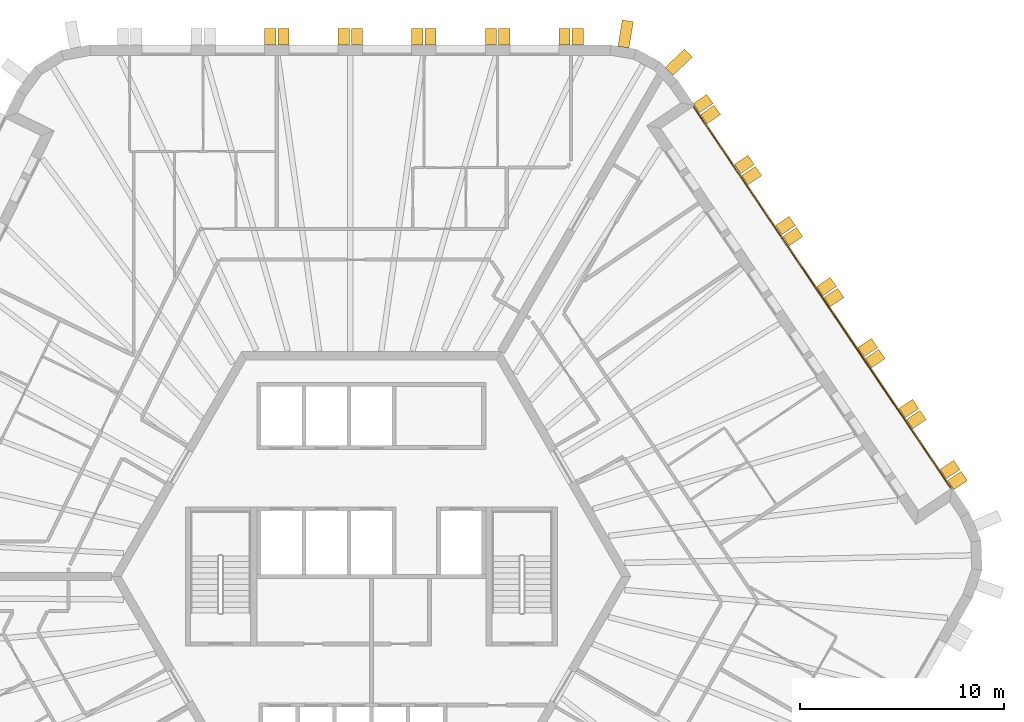
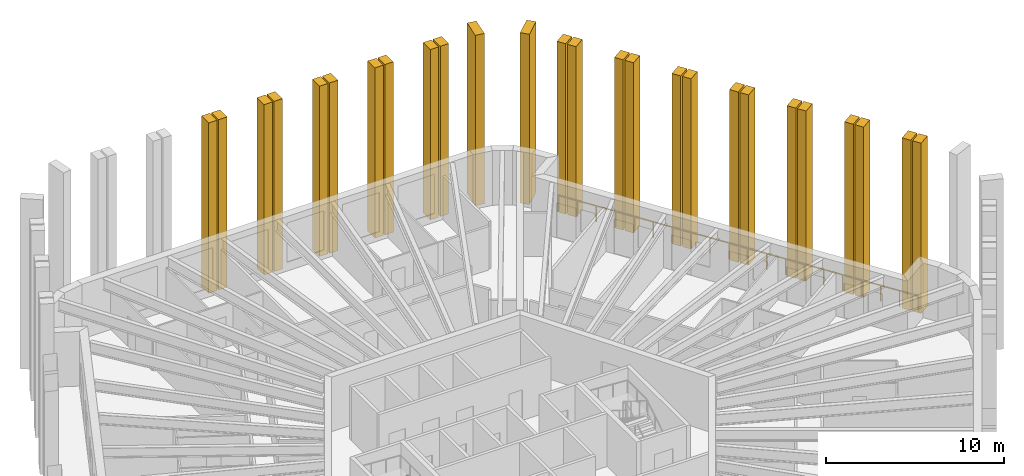
# One storey, part 13 of 13: 26 shading devices, 1 railing.
"""IFC4 building model written with IfcOpenShell, lengths in metres."""

from ifc_helpers import new_model, si_unit, direction, frame, origin, origin_2d, place, context, subcontext, project, spatial, polyline, circle, outline, extrude, material, layer, layer_set, type_object, element, save


model = new_model("IFC4")

# Units and contexts
model_context = context("Model", 3, precision=1e-05, world=origin(), true_north=direction((0.0, 1.0)))
body_context = subcontext(model_context, "Body", "Model", "MODEL_VIEW")
ifc_project = project(units=[si_unit("LENGTHUNIT", "METRE"), si_unit("AREAUNIT", "SQUARE_METRE"), si_unit("VOLUMEUNIT", "CUBIC_METRE"), si_unit("PLANEANGLEUNIT", "RADIAN"), si_unit("MASSUNIT", "GRAM", prefix="KILO")], contexts=[model_context])

# Site, building, storey
site_placement = place(None, origin())
site = spatial("IfcSite", under=ifc_project, at=site_placement, CompositionType="ELEMENT")
building_placement = place(site_placement, origin())
building = spatial("IfcBuilding", under=site, at=building_placement, Name="Tarnside Tower", CompositionType="ELEMENT")
storey_placement = place(building_placement, frame((0.0, 0.0, 303.0)))
storey = spatial("IfcBuildingStorey", under=building, at=storey_placement, Name="L73", CompositionType="ELEMENT", Elevation=303.0)

# Railing
ifc_material_1 = material(Name="Toughened glass", Category="glass")
railing_type = type_object("IfcRailingType", Name="Glass guard 1100", PredefinedType="GUARDRAIL", material=ifc_material_1)
railing_placement = place(storey_placement, frame((28.365234375, 4.299560546875, 0.0)))
element("IfcRailing", 1, at=railing_placement, inside=storey, type_object=railing_type, Name="Loggia guard L73 F6", PredefinedType="GUARDRAIL", context=body_context, shape_type="SweptSolid", body=[
    extrude(circle(Radius=0.030029296875, at=origin_2d()), frame((0.0, 0.0, 1.070068359375), z_axis=(-0.559195329741, 0.82903593601, 0.0), x_axis=(-0.82903593601, -0.559195329741, 0.0)), (0.0, 0.0, 1.0), 22.544677734375),
    extrude(circle(Radius=0.02490234375, at=origin_2d()), origin(), (0.0, 0.0, 1.0), 1.0400390625),
    extrude(circle(Radius=0.02490234375, at=origin_2d()), frame((-0.66357421875, 0.983642578125, 0.0)), (0.0, 0.0, 1.0), 1.0400390625),
    extrude(circle(Radius=0.02490234375, at=origin_2d()), frame((-1.3271484375, 1.967529296875, 0.0)), (0.0, 0.0, 1.0), 1.0400390625),
    extrude(circle(Radius=0.02490234375, at=origin_2d()), frame((-1.990478515625, 2.951171875, 0.0)), (0.0, 0.0, 1.0), 1.0400390625),
    extrude(circle(Radius=0.02490234375, at=origin_2d()), frame((-2.654052734375, 3.934814453125, 0.0)), (0.0, 0.0, 1.0), 1.0400390625),
    extrude(circle(Radius=0.02490234375, at=origin_2d()), frame((-3.317626953125, 4.91845703125, 0.0)), (0.0, 0.0, 1.0), 1.0400390625),
    extrude(circle(Radius=0.02490234375, at=origin_2d()), frame((-3.981201171875, 5.90234375, 0.0)), (0.0, 0.0, 1.0), 1.0400390625),
    extrude(circle(Radius=0.02490234375, at=origin_2d()), frame((-4.644775390625, 6.885986328125, 0.0)), (0.0, 0.0, 1.0), 1.0400390625),
    extrude(circle(Radius=0.02490234375, at=origin_2d()), frame((-5.30810546875, 7.86962890625, 0.0)), (0.0, 0.0, 1.0), 1.0400390625),
    extrude(circle(Radius=0.02490234375, at=origin_2d()), frame((-5.9716796875, 8.853271484375, 0.0)), (0.0, 0.0, 1.0), 1.0400390625),
    extrude(circle(Radius=0.02490234375, at=origin_2d()), frame((-6.63525390625, 9.837158203125, 0.0)), (0.0, 0.0, 1.0), 1.0400390625),
    extrude(circle(Radius=0.02490234375, at=origin_2d()), frame((-7.298828125, 10.82080078125, 0.0)), (0.0, 0.0, 1.0), 1.0400390625),
    extrude(circle(Radius=0.02490234375, at=origin_2d()), frame((-7.962158203125, 11.804443359375, 0.0)), (0.0, 0.0, 1.0), 1.0400390625),
    extrude(circle(Radius=0.02490234375, at=origin_2d()), frame((-8.625732421875, 12.7880859375, 0.0)), (0.0, 0.0, 1.0), 1.0400390625),
    extrude(circle(Radius=0.02490234375, at=origin_2d()), frame((-9.289306640625, 13.77197265625, 0.0)), (0.0, 0.0, 1.0), 1.0400390625),
    extrude(circle(Radius=0.02490234375, at=origin_2d()), frame((-9.952880859375, 14.755615234375, 0.0)), (0.0, 0.0, 1.0), 1.0400390625),
    extrude(circle(Radius=0.02490234375, at=origin_2d()), frame((-10.616455078125, 15.7392578125, 0.0)), (0.0, 0.0, 1.0), 1.0400390625),
    extrude(circle(Radius=0.02490234375, at=origin_2d()), frame((-11.27978515625, 16.722900390625, 0.0)), (0.0, 0.0, 1.0), 1.0400390625),
    extrude(circle(Radius=0.02490234375, at=origin_2d()), frame((-11.943359375, 17.706787109375, 0.0)), (0.0, 0.0, 1.0), 1.0400390625),
    extrude(circle(Radius=0.02490234375, at=origin_2d()), frame((-12.60693359375, 18.6904296875, 0.0)), (0.0, 0.0, 1.0), 1.0400390625),
])

# Shading devices
ifc_material_2 = material(Name="Concrete C50/60 white precast", Category="concrete")
ifc_layer_1 = layer(ifc_material_2, 0.550048828125)
ifc_layer_set_1 = layer_set([ifc_layer_1], Name="Precast fin 550 x 1300")
shading_device_type_1 = type_object("IfcShadingDeviceType", Name="Precast fin 550 x 1300", PredefinedType="USERDEFINED", material=ifc_layer_set_1)
for number, where, z_axis, x_axis, name in (
    (2, (14.571044921875, 24.7109375, -0.14990234375), (0.686241637865, -0.727373641577, 0.0), (0.727373641577, 0.686241637865, 0.0), "Precast fin"),
    (3, (12.33837890625, 25.89794921875, -0.14990234375), (0.986761532114, -0.1621779231, 0.0), (0.1621779231, 0.986761532114, 0.0), "Precast fin"),
):
    element("IfcShadingDevice", number, at=place(storey_placement, frame(where, z_axis=z_axis, x_axis=x_axis)), inside=storey, type_object=shading_device_type_1, Name=name, ObjectType="FIN", PredefinedType="USERDEFINED", context=body_context, shape_type="SweptSolid", body=[
        extrude(outline(polyline([(0.0, 0.0), (1.300048828125, 0.0), (1.300048828125, 11.699951171875), (0.0, 11.699951171875), (0.0, 0.0)])), frame((0.0, 0.0, -0.27490234375)), (0.0, 0.0, 1.0), 0.550048828125),
    ])
ifc_layer_2 = layer(ifc_material_2, 0.550048828125)
ifc_layer_set_2 = layer_set([ifc_layer_2], Name="Precast fin 550 x 800")
shading_device_type_2 = type_object("IfcShadingDeviceType", Name="Precast fin 550 x 800", PredefinedType="USERDEFINED", material=ifc_layer_set_2)
for number, where, z_axis, x_axis, name in (
    (4, (10.10009765625, 26.0, -0.14990234375), (1.0, 0.0, 0.0), (0.0, 1.0, 0.0), "Precast fin"),
    (5, (9.4501953125, 26.0, -0.14990234375), (1.0, 0.0, 0.0), (0.0, 1.0, 0.0), "Precast fin"),
    (6, (6.500244140625, 26.0, -0.14990234375), (1.0, 0.0, 0.0), (0.0, 1.0, 0.0), "Precast fin"),
    (7, (5.85009765625, 26.0, -0.14990234375), (1.0, 0.0, 0.0), (0.0, 1.0, 0.0), "Precast fin"),
    (8, (2.900146484375, 26.0, -0.14990234375), (1.0, 0.0, 0.0), (0.0, 1.0, 0.0), "Precast fin"),
    (9, (2.250244140625, 26.0, -0.14990234375), (1.0, 0.0, 0.0), (0.0, 1.0, 0.0), "Precast fin"),
    (10, (-0.69970703125, 26.0, -0.14990234375), (1.0, 0.0, 0.0), (0.0, 1.0, 0.0), "Precast fin"),
    (11, (-1.349853515625, 26.0, -0.14990234375), (1.0, 0.0, 0.0), (0.0, 1.0, 0.0), "Precast fin"),
    (12, (-4.2998046875, 26.0, -0.14990234375), (1.0, 0.0, 0.0), (0.0, 1.0, 0.0), "Precast fin"),
    (13, (-4.94970703125, 26.0, -0.14990234375), (1.0, 0.0, 0.0), (0.0, 1.0, 0.0), "Precast fin"),
    (14, (28.34912109375, 4.466552734375, -0.14990234375), (0.559192903471, -0.829037572555, 0.0), (0.829037572555, 0.559192903471, 0.0), "Precast fin"),
    (15, (27.985595703125, 5.00537109375, -0.14990234375), (0.559192903471, -0.829037572555, 0.0), (0.829037572555, 0.559192903471, 0.0), "Precast fin"),
    (16, (26.3359375, 7.450927734375, -0.14990234375), (0.559192903471, -0.829037572555, 0.0), (0.829037572555, 0.559192903471, 0.0), "Precast fin"),
    (17, (25.972412109375, 7.98974609375, -0.14990234375), (0.559192903471, -0.829037572555, 0.0), (0.829037572555, 0.559192903471, 0.0), "Precast fin"),
    (18, (24.32275390625, 10.435546875, -0.14990234375), (0.559192903471, -0.829037572555, 0.0), (0.829037572555, 0.559192903471, 0.0), "Precast fin"),
    (19, (23.95947265625, 10.974365234375, -0.14990234375), (0.559192903471, -0.829037572555, 0.0), (0.829037572555, 0.559192903471, 0.0), "Precast fin"),
    (20, (22.309814453125, 13.419921875, -0.14990234375), (0.559192903471, -0.829037572555, 0.0), (0.829037572555, 0.559192903471, 0.0), "Precast fin"),
    (21, (21.9462890625, 13.958984375, -0.14990234375), (0.559192903471, -0.829037572555, 0.0), (0.829037572555, 0.559192903471, 0.0), "Precast fin"),
    (22, (20.296630859375, 16.404541015625, -0.14990234375), (0.559192903471, -0.829037572555, 0.0), (0.829037572555, 0.559192903471, 0.0), "Precast fin"),
    (23, (19.93310546875, 16.943359375, -0.14990234375), (0.559192903471, -0.829037572555, 0.0), (0.829037572555, 0.559192903471, 0.0), "Precast fin"),
    (24, (18.283447265625, 19.38916015625, -0.14990234375), (0.559192903471, -0.829037572555, 0.0), (0.829037572555, 0.559192903471, 0.0), "Precast fin"),
    (25, (17.920166015625, 19.927978515625, -0.14990234375), (0.559192903471, -0.829037572555, 0.0), (0.829037572555, 0.559192903471, 0.0), "Precast fin"),
    (26, (16.2705078125, 22.37353515625, -0.14990234375), (0.559192903471, -0.829037572555, 0.0), (0.829037572555, 0.559192903471, 0.0), "Precast fin"),
    (27, (15.906982421875, 22.91259765625, -0.14990234375), (0.559192903471, -0.829037572555, 0.0), (0.829037572555, 0.559192903471, 0.0), "Precast fin"),
):
    element("IfcShadingDevice", number, at=place(storey_placement, frame(where, z_axis=z_axis, x_axis=x_axis)), inside=storey, type_object=shading_device_type_2, Name=name, ObjectType="FIN", PredefinedType="USERDEFINED", context=body_context, shape_type="SweptSolid", body=[
        extrude(outline(polyline([(0.0, 0.0), (0.800048828125, 0.0), (0.800048828125, 11.699951171875), (0.0, 11.699951171875), (0.0, 0.0)])), frame((0.0, 0.0, -0.27490234375)), (0.0, 0.0, 1.0), 0.550048828125),
    ])

save(model, "model.ifc")
